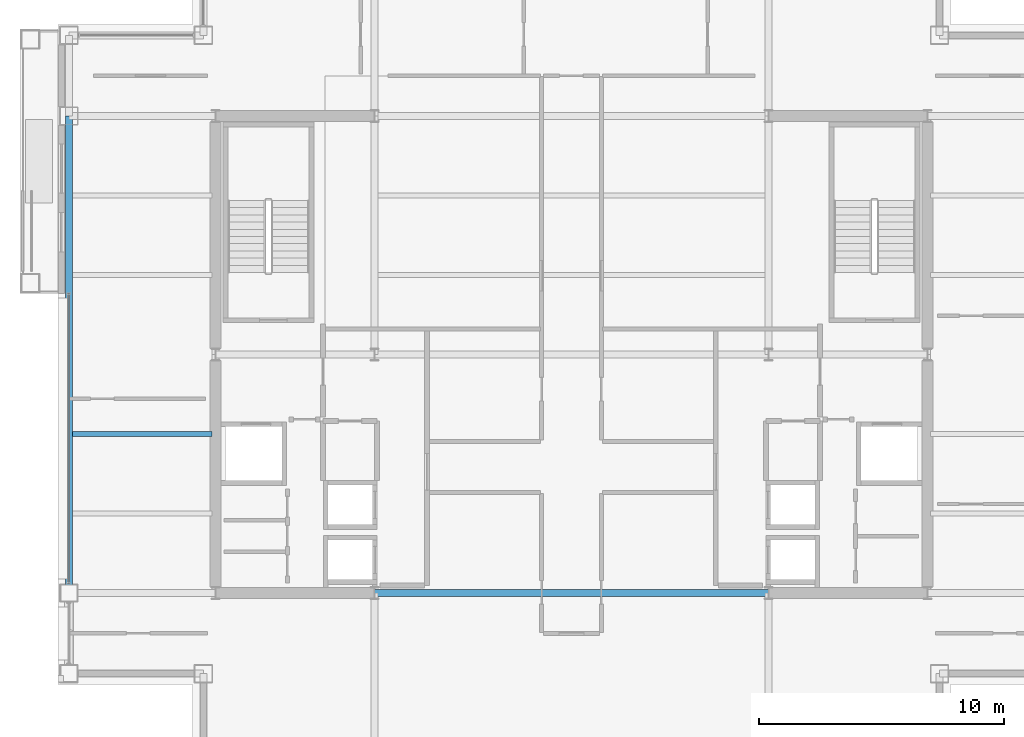
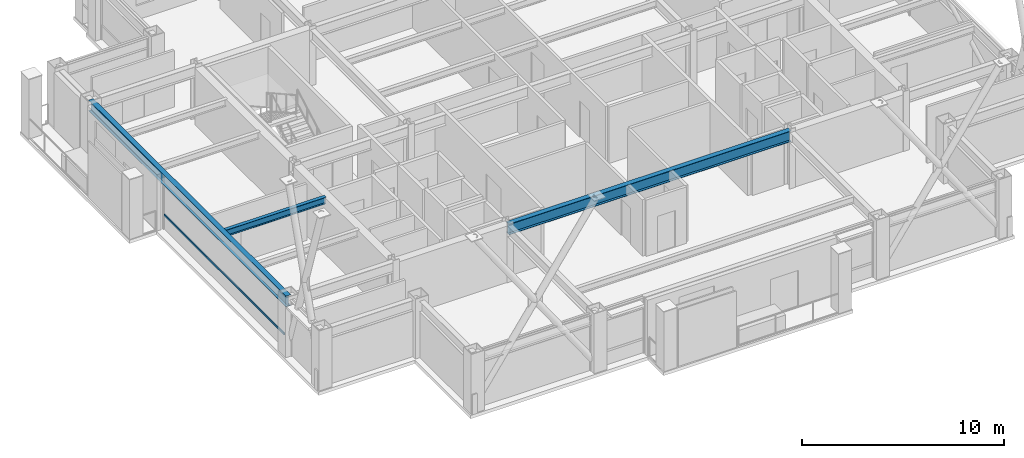
# One storey, part 9 of 30: 3 beams, 1 member, 1 element without a shape of its own.
"""IFC4 building model written with IfcOpenShell, lengths in metres."""

import ifcopenshell
import ifcopenshell.guid

model = None  # the IFC model being written
_history = None  # IfcOwnerHistory: only IFC2X3 demands one
_inside = {}  # id of a spatial element -> (the spatial element, [elements in it])
_under = {}  # id of a project, library or spatial element -> (it, [spatial elements below it])
_declared = {}  # id of a project -> (the project, [libraries it declares])
_typed = {}  # id of a type object -> (the type object, [elements of that type])
_made_of = {}  # id of a material, layer set ... -> (it, [elements and type objects made of it])


def new_model(schema):
    """Start an empty IFC model of exactly this schema.

    Asked for "IFC4X3", IfcOpenShell would pick the latest addendum, in which some entities
    have other attributes; the version numbers below select the first issue.
    IFC2X3 requires an IfcOwnerHistory on every rooted entity: one is made here for all.
    """
    global model, _history
    if schema == "IFC4X3":
        model = ifcopenshell.file(schema_version=(4, 3, 0, 0))
    else:
        model = ifcopenshell.file(schema=schema)
    _inside.clear()
    _under.clear()
    _declared.clear()
    _typed.clear()
    _made_of.clear()
    _history = None
    if model.schema == "IFC2X3":
        org = make("IfcOrganization", Name="unknown")
        user = make(
            "IfcPersonAndOrganization",
            ThePerson=make("IfcPerson", FamilyName="unknown"),
            TheOrganization=org,
        )
        app = make(
            "IfcApplication",
            ApplicationDeveloper=org,
            Version="unknown",
            ApplicationFullName="unknown",
            ApplicationIdentifier="unknown",
        )
        _history = make(
            "IfcOwnerHistory",
            OwningUser=user,
            OwningApplication=app,
            ChangeAction="ADDED",
            CreationDate=0,
        )
    return model


def make(cls, **values):
    """One entity of the class cls with the attributes given. An attribute that is None is left unset."""
    return model.create_entity(
        cls, **{name: value for name, value in values.items() if value is not None}
    )


def rooted(cls, **values):
    """An entity with a GlobalId (a new one), such as an element, a storey or a relation."""
    return make(cls, GlobalId=ifcopenshell.guid.new(), OwnerHistory=_history, **values)


def si_unit(unit_type, name, prefix=None):
    """IfcSIUnit, for example si_unit("LENGTHUNIT", "METRE", prefix="MILLI")."""
    return make("IfcSIUnit", UnitType=unit_type, Prefix=prefix, Name=name)


def assignment(units):
    """IfcUnitAssignment: the units of a project."""
    return None if units is None else make("IfcUnitAssignment", Units=units)


def point(xyz):
    """IfcCartesianPoint."""
    return None if xyz is None else make("IfcCartesianPoint", Coordinates=xyz)


def direction(xyz):
    """IfcDirection."""
    return None if xyz is None else make("IfcDirection", DirectionRatios=xyz)


def frame(location, z_axis=None, x_axis=None):
    """IfcAxis2Placement3D, a coordinate frame: its origin and axes. An axis left out is left unset."""
    return make(
        "IfcAxis2Placement3D",
        Location=point(location),
        Axis=direction(z_axis),
        RefDirection=direction(x_axis),
    )


def frame_2d(location, x_axis=None):
    """IfcAxis2Placement2D, a coordinate frame in the plane: its origin and x axis."""
    return make(
        "IfcAxis2Placement2D", Location=point(location), RefDirection=direction(x_axis)
    )


def origin():
    """The frame at (0, 0, 0) with its axes left unset."""
    return frame((0.0, 0.0, 0.0))


def origin_2d():
    """The frame at (0, 0) in the plane with its x axis left unset."""
    return frame_2d((0.0, 0.0))


def place(relative_to, where):
    """IfcLocalPlacement: puts the frame where relative to a parent placement (None: the world)."""
    return make(
        "IfcLocalPlacement", PlacementRelTo=relative_to, RelativePlacement=where
    )


def context(
    kind, dimensions, precision=None, world=None, true_north=None, identifier=None
):
    """IfcGeometricRepresentationContext, for example the 3D "Model" context."""
    return make(
        "IfcGeometricRepresentationContext",
        ContextIdentifier=identifier,
        ContextType=kind,
        CoordinateSpaceDimension=dimensions,
        Precision=precision,
        WorldCoordinateSystem=world,
        TrueNorth=true_north,
    )


def subcontext(parent, identifier, kind, view, scale=None):
    """IfcGeometricRepresentationSubContext, for example "Body" below "Model"."""
    return make(
        "IfcGeometricRepresentationSubContext",
        ContextIdentifier=identifier,
        ContextType=kind,
        ParentContext=parent,
        TargetScale=scale,
        TargetView=view,
    )


def project(units=None, contexts=None):
    """IfcProject with its units and contexts."""
    return rooted(
        "IfcProject",
        Name="project",
        RepresentationContexts=contexts,
        UnitsInContext=assignment(units),
    )


def spatial(cls, under=None, at=None, **own):
    """A site, building, storey or space (cls), placed at a placement, below another one or the project."""
    s = rooted(cls, ObjectPlacement=at, **own)
    if under is not None:
        _under.setdefault(under.id(), (under, []))[1].append(s)
    return s


def profile(cls, at=None, kind="AREA", **sizes):
    """A parametric profile (cls). Its sizes go by their IFC names, for example OverallWidth=200.0."""
    return make(cls, ProfileType=kind, Position=at, **sizes)


def hollow_rectangle(**sizes):
    """IfcRectangleHollowProfileDef."""
    return profile("IfcRectangleHollowProfileDef", **sizes)


def i_section(**sizes):
    """IfcIShapeProfileDef."""
    return profile("IfcIShapeProfileDef", **sizes)


def extrude(swept, where, along, depth):
    """IfcExtrudedAreaSolid: the profile swept, set in the frame where, extruded along a direction by depth."""
    return make(
        "IfcExtrudedAreaSolid",
        SweptArea=swept,
        Position=where,
        ExtrudedDirection=direction(along),
        Depth=depth,
    )


def shape(context_of_items, identifier, shape_type, items):
    """IfcShapeRepresentation: the items that make up one representation, for example the "Body"."""
    return make(
        "IfcShapeRepresentation",
        ContextOfItems=context_of_items,
        RepresentationIdentifier=identifier,
        RepresentationType=shape_type,
        Items=items,
    )


def material(Name=None, Category=None):
    """IfcMaterial."""
    return make("IfcMaterial", Name=Name, Category=Category)


def layer(
    of_material, thickness, ventilated=None, Name=None, Category=None, Priority=None
):
    """IfcMaterialLayer: one layer of a wall or slab, of a material (None: an air gap)."""
    return make(
        "IfcMaterialLayer",
        Material=of_material,
        LayerThickness=thickness,
        IsVentilated=ventilated,
        Name=Name,
        Category=Category,
        Priority=Priority,
    )


def layer_set(layers, Name=None):
    """IfcMaterialLayerSet."""
    return make("IfcMaterialLayerSet", MaterialLayers=layers, LayerSetName=Name)


def material_profile(
    of_material, cross_section, Name=None, Category=None, Priority=None
):
    """IfcMaterialProfile: a cross section and its material."""
    return make(
        "IfcMaterialProfile",
        Name=Name,
        Material=of_material,
        Profile=cross_section,
        Priority=Priority,
        Category=Category,
    )


def profile_set(profiles, Name=None, composite=None):
    """IfcMaterialProfileSet."""
    return make(
        "IfcMaterialProfileSet",
        Name=Name,
        MaterialProfiles=profiles,
        CompositeProfile=composite,
    )


def made_of(thing, what):
    """Note that an element or type object is made of a material, layer set ...; save() writes the relation."""
    if what is not None:
        _made_of.setdefault(what.id(), (what, []))[1].append(thing)
    return thing


def type_object(cls, material=None, **own):
    """A type object (cls), such as IfcWallType, which elements share."""
    return made_of(rooted(cls, **own), material)


def element(
    cls,
    number,
    at=None,
    inside=None,
    cuts=None,
    type_object=None,
    material=None,
    context=None,
    identifier="Body",
    shape_type=None,
    held_by="IfcProductDefinitionShape",
    body=None,
    shapes=None,
    **own,
):
    """One element of the class cls, such as IfcWall. Its Tag is "e" and its number.

    at: its placement. inside: the storey or other place that contains it. cuts: it is an
    opening in that element (IfcRelVoidsElement). A single representation is given by context,
    identifier, shape_type and body (its items); several are given by shapes. held_by: the class
    of the entity that holds the representations. save() writes the other relations.
    """
    e = rooted(cls, Tag="e%d" % number, ObjectPlacement=at, **own)
    if body is not None:
        shapes = [shape(context, identifier, shape_type, body)]
    if shapes is not None:
        e.Representation = make(held_by, Representations=shapes)
    if inside is not None:
        _inside.setdefault(inside.id(), (inside, []))[1].append(e)
    if cuts is not None:
        rooted(
            "IfcRelVoidsElement", RelatingBuildingElement=cuts, RelatedOpeningElement=e
        )
    if type_object is not None:
        _typed.setdefault(type_object.id(), (type_object, []))[1].append(e)
    return made_of(e, material)


def aggregate(whole, parts):
    """IfcRelAggregates: a whole, such as a stair, and the parts it consists of."""
    return rooted("IfcRelAggregates", RelatingObject=whole, RelatedObjects=parts)


def save(model, path):
    """Write the relations noted so far, then the file.

    IfcRelAggregates (storeys below a building ...), IfcRelContainedInSpatialStructure (elements
    in a storey), IfcRelDefinesByType, IfcRelAssociatesMaterial and IfcRelDeclares: one each for
    every whole, place, type object, material and project.
    """
    for whole, parts in _under.values():
        aggregate(whole, parts)
    for where, things in _inside.values():
        rooted(
            "IfcRelContainedInSpatialStructure",
            RelatedElements=things,
            RelatingStructure=where,
        )
    for kind, things in _typed.values():
        rooted("IfcRelDefinesByType", RelatedObjects=things, RelatingType=kind)
    for what, things in _made_of.values():
        rooted("IfcRelAssociatesMaterial", RelatedObjects=things, RelatingMaterial=what)
    for by, libraries in _declared.values():
        rooted("IfcRelDeclares", RelatingContext=by, RelatedDefinitions=libraries)
    model.write(path)


model = new_model("IFC4")

# Units and contexts
model_context = context("Model", 3, precision=1e-05, world=origin(), true_north=direction((0.0, 1.0)))
body_context = subcontext(model_context, "Body", "Model", "MODEL_VIEW")
ifc_project = project(units=[si_unit("LENGTHUNIT", "METRE"), si_unit("AREAUNIT", "SQUARE_METRE"), si_unit("VOLUMEUNIT", "CUBIC_METRE"), si_unit("PLANEANGLEUNIT", "RADIAN"), si_unit("MASSUNIT", "GRAM", prefix="KILO")], contexts=[model_context])

# Site, building, storey
site_placement = place(None, origin())
site = spatial("IfcSite", under=ifc_project, at=site_placement, CompositionType="ELEMENT")
building_placement = place(site_placement, origin())
building = spatial("IfcBuilding", under=site, at=building_placement, Name="Brelmoor Portico Tower", CompositionType="ELEMENT")
storey_placement = place(building_placement, frame((0.0, 0.0, 173.10009765625)))
storey = spatial("IfcBuildingStorey", under=building, at=storey_placement, Name="L45", CompositionType="ELEMENT", Elevation=173.10009765625)

# Beams
ifc_material_1 = material(Name="Steel Q355B", Category="steel")
ifc_material_profile_1 = material_profile(ifc_material_1, i_section(OverallWidth=0.199951171875, OverallDepth=0.39990234375, WebThickness=0.008056640625, FlangeThickness=0.012939453125, at=origin_2d()), Name="HN 400x200x8x13")
ifc_profile_set_1 = profile_set([ifc_material_profile_1], Name="Steel Q355B")
beam_type_1 = type_object("IfcBeamType", Name="BM-JS-400", PredefinedType="JOIST", material=ifc_profile_set_1)
beam_1_placement = place(storey_placement, frame((-20.409912109375, -3.25, 3.199951171875), z_axis=(1.0, 0.0, 0.0), x_axis=(0.0, 1.0, 0.0)))
element("IfcBeam", 1, at=beam_1_placement, inside=storey, type_object=beam_type_1, Name="L45 Secondary Wing Joist JS-W06", PredefinedType="JOIST", context=body_context, shape_type="SweptSolid", body=[
    extrude(i_section(OverallWidth=0.199951171875, OverallDepth=0.39990234375, WebThickness=0.008056640625, FlangeThickness=0.012939453125, at=origin_2d()), origin(), (0.0, 0.0, 1.0), 5.719970703125),
])
ifc_material_profile_2 = material_profile(ifc_material_1, i_section(OverallWidth=0.280029296875, OverallDepth=0.64990234375, WebThickness=0.012939453125, FlangeThickness=0.02197265625, at=origin_2d()), Name="HN 650x280x13x22")
ifc_profile_set_2 = profile_set([ifc_material_profile_2], Name="Steel Q355B")
beam_type_2 = type_object("IfcBeamType", Name="BM-PG-650", PredefinedType="BEAM", material=ifc_profile_set_2)
beam_2_placement = place(storey_placement, frame((-8.050048828125, -9.75, 3.074951171875), z_axis=(1.0, 0.0, 0.0), x_axis=(0.0, 1.0, 0.0)))
element("IfcBeam", 2, at=beam_2_placement, inside=storey, type_object=beam_type_2, Name="L45 Primary Floor Girder PG-13", PredefinedType="BEAM", context=body_context, shape_type="SweptSolid", body=[
    extrude(i_section(OverallWidth=0.280029296875, OverallDepth=0.64990234375, WebThickness=0.012939453125, FlangeThickness=0.02197265625, at=origin_2d()), origin(), (0.0, 0.0, 1.0), 16.10009765625),
])
ifc_material_profile_3 = material_profile(ifc_material_1, i_section(OverallWidth=0.280029296875, OverallDepth=0.64990234375, WebThickness=0.012939453125, FlangeThickness=0.02197265625, at=origin_2d()), Name="HN 650x280x13x22")
ifc_profile_set_3 = profile_set([ifc_material_profile_3], Name="Steel Q355B")
beam_type_3 = type_object("IfcBeamType", Name="BM-SP-650", PredefinedType="SPANDREL", material=ifc_profile_set_3)
beam_3_placement = place(storey_placement, frame((-20.550048828125, -9.75, 3.074951171875), z_axis=(0.0, 1.0, 0.0), x_axis=(-1.0, 0.0, 0.0)))
element("IfcBeam", 3, at=beam_3_placement, inside=storey, type_object=beam_type_3, Name="L45 Perimeter Spandrel Beam SP-12", PredefinedType="SPANDREL", context=body_context, shape_type="SweptSolid", body=[
    extrude(i_section(OverallWidth=0.280029296875, OverallDepth=0.64990234375, WebThickness=0.012939453125, FlangeThickness=0.02197265625, at=origin_2d()), origin(), (0.0, 0.0, 1.0), 19.5),
])

# Curtain wall, member
ifc_material_2 = material(Name="Anodised Aluminium Alloy 6063-T6", Category="aluminium")
ifc_layer = layer(ifc_material_2, 0.179931640625)
ifc_layer_set = layer_set([ifc_layer], Name="Anodised Aluminium Alloy 6063-T6")
curtain_wall_type = type_object("IfcCurtainWallType", Name="CW-TOWER-Z3", PredefinedType="NOTDEFINED", material=ifc_layer_set)
curtain_wall_placement = place(storey_placement, origin())
curtain_wall = element("IfcCurtainWall", 4, at=curtain_wall_placement, inside=storey, type_object=curtain_wall_type, Name="L45 Curtain Wall CW-L45-3L-2", PredefinedType="NOTDEFINED")
ifc_material_profile_4 = material_profile(ifc_material_2, hollow_rectangle(XDim=0.06005859375, YDim=0.125, WallThickness=0.00341796875, at=origin_2d()), Name="ALU TRANSOM 60x125")
ifc_profile_set_4 = profile_set([ifc_material_profile_4], Name="Anodised Aluminium Alloy 6063-T6")
member_type = type_object("IfcMemberType", Name="MB-CW-TRAN-125", PredefinedType="USERDEFINED", material=ifc_profile_set_4)
member_placement = place(storey_placement, frame((-20.550048828125, -9.364990234375, 0.849853515625), z_axis=(0.0, 1.0, 0.0), x_axis=(-1.0, 0.0, 0.0)))
member = element("IfcMember", 5, at=member_placement, type_object=member_type, Name="CW-L45-3L-2 Transom 1-00", ObjectType="TRANSOM", PredefinedType="USERDEFINED", context=body_context, shape_type="SweptSolid", body=[
    extrude(hollow_rectangle(XDim=0.06005859375, YDim=0.125, WallThickness=0.00341796875, at=origin_2d()), origin(), (0.0, 0.0, 1.0), 11.864990234375),
])
aggregate(curtain_wall, [member])

save(model, "model.ifc")
